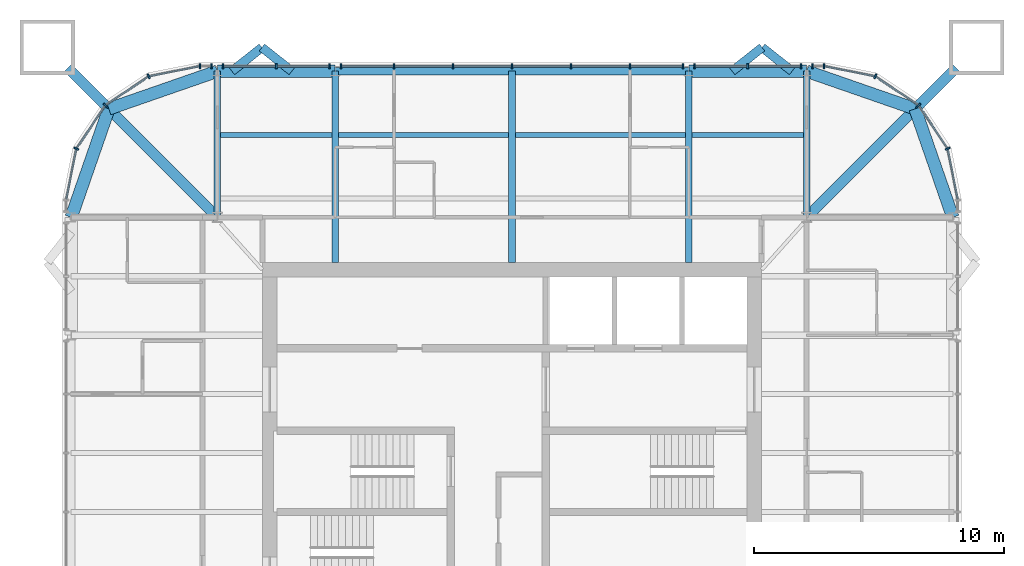
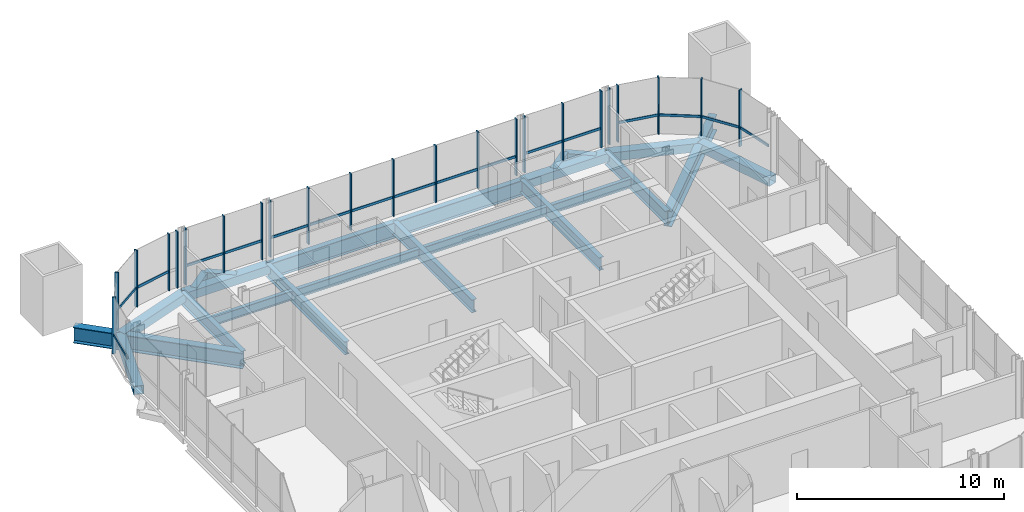
# One storey, part 6 of 17: 41 members, 22 beams, 7 elements without a shape of their own.
"""IFC4 building model written with IfcOpenShell, lengths in metres."""

from ifc_helpers import new_model, si_unit, direction, frame, origin, origin_2d, place, context, subcontext, project, spatial, rectangle, hollow_rectangle, i_section, extrude, material, material_profile, profile_set, type_object, element, aggregate, save


model = new_model("IFC4")

# Units and contexts
model_context = context("Model", 3, precision=1e-05, world=origin(), true_north=direction((0.0, 1.0)))
body_context = subcontext(model_context, "Body", "Model", "MODEL_VIEW")
ifc_project = project(units=[si_unit("LENGTHUNIT", "METRE"), si_unit("AREAUNIT", "SQUARE_METRE"), si_unit("VOLUMEUNIT", "CUBIC_METRE"), si_unit("PLANEANGLEUNIT", "RADIAN"), si_unit("MASSUNIT", "GRAM", prefix="KILO")], contexts=[model_context])

# Site, building, storey
site_placement = place(None, origin())
site = spatial("IfcSite", under=ifc_project, at=site_placement, CompositionType="ELEMENT")
building_placement = place(site_placement, origin())
building = spatial("IfcBuilding", under=site, at=building_placement, Name="Turquesa Mirador Hotel Tower", CompositionType="ELEMENT")
storey_placement = place(building_placement, frame((0.0, 0.0, 237.199951171875)))
storey = spatial("IfcBuildingStorey", under=building, at=storey_placement, Name="L64", CompositionType="ELEMENT", Elevation=237.199951171875)

# Beams
ifc_material_1 = material(Name="Steel ASTM A572 Grade 50", Category="steel")
ifc_material_profile_1 = material_profile(ifc_material_1, hollow_rectangle(XDim=0.5, YDim=0.5, WallThickness=0.01611328125, at=origin_2d()), Name="BOX500X500X16")
ifc_profile_set_1 = profile_set([ifc_material_profile_1], Name="Steel ASTM A572 Grade 50")
beam_type_1 = type_object("IfcBeamType", Name="BEAM BOX500X500X16", PredefinedType="BEAM", material=ifc_profile_set_1)
for number, where, z_axis, x_axis, name in (
    (1, (43.199951171875, 62.64990234375, -0.419921875), (1.0, 0.0, 0.0), (0.0, 1.0, 0.0), "EB-L64-N-L"),
    (2, (62.080078125, 62.64990234375, -0.419921875), (1.0, 0.0, 0.0), (0.0, 1.0, 0.0), "EB-L64-N-R"),
):
    element("IfcBeam", number, at=place(storey_placement, frame(where, z_axis=z_axis, x_axis=x_axis)), inside=storey, type_object=beam_type_1, Name=name, PredefinedType="BEAM", context=body_context, shape_type="SweptSolid", body=[
        extrude(hollow_rectangle(XDim=0.5, YDim=0.5, WallThickness=0.01611328125, at=origin_2d()), origin(), (0.0, 0.0, 1.0), 4.719970703125),
    ])
for number, where, z_axis, x_axis, name in (
    (3, (72.64990234375, 56.800048828125, -0.419921875), (-0.328170356092, 0.944618556552, 0.0), (-0.944618556552, -0.328170356092, 0.0), "KE-L64-1-0"),
    (4, (71.1416015625, 61.1416015625, -0.419921875), (-0.944618556552, 0.328170356092, 0.0), (-0.328170356092, -0.944618556552, 0.0), "KE-L64-1-1"),
    (5, (37.35009765625, 56.800048828125, -0.419921875), (0.328170356092, 0.944618556552, 0.0), (-0.944618556552, 0.328170356092, 0.0), "KE-L64-2-0"),
    (6, (38.8583984375, 61.1416015625, -0.419921875), (0.944618556552, 0.328170356092, 0.0), (-0.328170356092, 0.944618556552, 0.0), "KE-L64-2-1"),
):
    element("IfcBeam", number, at=place(storey_placement, frame(where, z_axis=z_axis, x_axis=x_axis)), inside=storey, type_object=beam_type_1, Name=name, PredefinedType="BEAM", context=body_context, shape_type="SweptSolid", body=[
        extrude(hollow_rectangle(XDim=0.5, YDim=0.5, WallThickness=0.01611328125, at=origin_2d()), origin(), (0.0, 0.0, 1.0), 4.59619140625),
    ])
ifc_material_2 = material(Name="Steel ASTM A992 Grade 50", Category="steel")
ifc_material_profile_2 = material_profile(ifc_material_2, i_section(OverallWidth=0.209228515625, OverallDepth=0.533447265625, WebThickness=0.01025390625, FlangeThickness=0.015625, at=origin_2d()), Name="W21X62")
ifc_profile_set_2 = profile_set([ifc_material_profile_2], Name="Steel ASTM A992 Grade 50")
beam_type_2 = type_object("IfcBeamType", Name="BEAM W21X62", PredefinedType="BEAM", material=ifc_profile_set_2)
beam_1_placement = place(storey_placement, frame((43.333251953125, 60.10009765625, -0.436767578125), z_axis=(1.0, 0.0, 0.0), x_axis=(0.0, 1.0, 0.0)))
element("IfcBeam", 7, at=beam_1_placement, inside=storey, type_object=beam_type_2, Name="IB-L64-N-2-0", PredefinedType="BEAM", context=body_context, shape_type="SweptSolid", body=[
    extrude(i_section(OverallWidth=0.209228515625, OverallDepth=0.533447265625, WebThickness=0.01025390625, FlangeThickness=0.015625, at=origin_2d()), origin(), (0.0, 0.0, 1.0), 4.453369140625),
])
for number, where, z_axis, x_axis, name in (
    (8, (48.053466796875, 60.10009765625, -0.436767578125), (1.0, 0.0, 0.0), (0.0, 1.0, 0.0), "IB-L64-N-2-1"),
    (9, (55.13330078125, 60.10009765625, -0.436767578125), (1.0, 0.0, 0.0), (0.0, 1.0, 0.0), "IB-L64-N-2-2"),
):
    element("IfcBeam", number, at=place(storey_placement, frame(where, z_axis=z_axis, x_axis=x_axis)), inside=storey, type_object=beam_type_2, Name=name, PredefinedType="BEAM", context=body_context, shape_type="SweptSolid", body=[
        extrude(i_section(OverallWidth=0.209228515625, OverallDepth=0.533447265625, WebThickness=0.01025390625, FlangeThickness=0.015625, at=origin_2d()), origin(), (0.0, 0.0, 1.0), 6.813232421875),
    ])
beam_2_placement = place(storey_placement, frame((62.21337890625, 60.10009765625, -0.436767578125), z_axis=(1.0, 0.0, 0.0), x_axis=(0.0, 1.0, 0.0)))
element("IfcBeam", 10, at=beam_2_placement, inside=storey, type_object=beam_type_2, Name="IB-L64-N-2-3", PredefinedType="BEAM", context=body_context, shape_type="SweptSolid", body=[
    extrude(i_section(OverallWidth=0.209228515625, OverallDepth=0.533447265625, WebThickness=0.01025390625, FlangeThickness=0.015625, at=origin_2d()), origin(), (0.0, 0.0, 1.0), 4.453369140625),
])
ifc_material_3 = material(Name="Steel ASTM A992 Grade 50", Category="steel")
ifc_material_profile_3 = material_profile(ifc_material_3, i_section(OverallWidth=0.2666015625, OverallDepth=0.7568359375, WebThickness=0.013916015625, FlangeThickness=0.019287109375, at=origin_2d()), Name="W30X108")
ifc_profile_set_3 = profile_set([ifc_material_profile_3], Name="Steel ASTM A992 Grade 50")
beam_type_3 = type_object("IfcBeamType", Name="BEAM W30X108", PredefinedType="BEAM", material=ifc_profile_set_3)
for number, where, z_axis, x_axis, name in (
    (11, (47.919921875, 62.64990234375, -0.54833984375), (0.0, -1.0, 0.0), (1.0, 0.0, 0.0), "GD-L64-N--7.08"),
    (12, (62.080078125, 62.64990234375, -0.54833984375), (0.0, -1.0, 0.0), (1.0, 0.0, 0.0), "GD-L64-N-+7.08"),
    (13, (55.0, 62.64990234375, -0.54833984375), (0.0, -1.0, 0.0), (1.0, 0.0, 0.0), "GD-L64-N-+0.00"),
):
    element("IfcBeam", number, at=place(storey_placement, frame(where, z_axis=z_axis, x_axis=x_axis)), inside=storey, type_object=beam_type_3, Name=name, PredefinedType="BEAM", context=body_context, shape_type="SweptSolid", body=[
        extrude(i_section(OverallWidth=0.2666015625, OverallDepth=0.7568359375, WebThickness=0.013916015625, FlangeThickness=0.019287109375, at=origin_2d()), origin(), (0.0, 0.0, 1.0), 7.64990234375),
    ])
for number, where, z_axis, x_axis, name in (
    (14, (43.199951171875, 62.64990234375, -0.54833984375), (0.0, -1.0, 0.0), (1.0, 0.0, 0.0), "GK-L64-N--11.80"),
    (15, (66.800048828125, 62.64990234375, -0.54833984375), (0.0, -1.0, 0.0), (1.0, 0.0, 0.0), "GK-L64-N-+11.80"),
):
    element("IfcBeam", number, at=place(storey_placement, frame(where, z_axis=z_axis, x_axis=x_axis)), inside=storey, type_object=beam_type_3, Name=name, PredefinedType="BEAM", context=body_context, shape_type="SweptSolid", body=[
        extrude(i_section(OverallWidth=0.2666015625, OverallDepth=0.7568359375, WebThickness=0.013916015625, FlangeThickness=0.019287109375, at=origin_2d()), origin(), (0.0, 0.0, 1.0), 5.849853515625),
    ])
ifc_material_4 = material(Name="Steel ASTM A992 Grade 50", Category="steel")
ifc_material_profile_4 = material_profile(ifc_material_4, i_section(OverallWidth=0.3046875, OverallDepth=0.911865234375, WebThickness=0.015869140625, FlangeThickness=0.02392578125, at=origin_2d()), Name="W36X150")
ifc_profile_set_4 = profile_set([ifc_material_profile_4], Name="Steel ASTM A992 Grade 50")
beam_type_4 = type_object("IfcBeamType", Name="BEAM W36X150", PredefinedType="BEAM", material=ifc_profile_set_4)
beam_3_placement = place(storey_placement, frame((47.919921875, 62.64990234375, -0.6259765625), z_axis=(1.0, 0.0, 0.0), x_axis=(0.0, 1.0, 0.0)))
element("IfcBeam", 16, at=beam_3_placement, inside=storey, type_object=beam_type_4, Name="EB-L64-N-C", PredefinedType="BEAM", context=body_context, shape_type="SweptSolid", body=[
    extrude(i_section(OverallWidth=0.3046875, OverallDepth=0.911865234375, WebThickness=0.015869140625, FlangeThickness=0.02392578125, at=origin_2d()), origin(), (0.0, 0.0, 1.0), 14.16015625),
])
ifc_material_5 = material(Name="Steel ASTM A992 Grade 50", Category="steel")
ifc_material_profile_5 = material_profile(ifc_material_5, i_section(OverallWidth=0.419189453125, OverallDepth=0.927001953125, WebThickness=0.019287109375, FlangeThickness=0.031982421875, at=origin_2d()), Name="W36X231")
ifc_profile_set_5 = profile_set([ifc_material_profile_5], Name="Steel ASTM A992 Grade 50")
beam_type_5 = type_object("IfcBeamType", Name="BEAM W36X231", PredefinedType="BEAM", material=ifc_profile_set_5)
for number, where, z_axis, x_axis, name in (
    (17, (66.800048828125, 56.800048828125, -0.633544921875), (0.707106781187, 0.707106781187, 0.0), (-0.707106781187, 0.707106781187, 0.0), "KD-L64-1"),
    (18, (43.199951171875, 56.800048828125, -0.633544921875), (-0.707106781187, 0.707106781187, 0.0), (-0.707106781187, -0.707106781187, 0.0), "KD-L64-2"),
):
    element("IfcBeam", number, at=place(storey_placement, frame(where, z_axis=z_axis, x_axis=x_axis)), inside=storey, type_object=beam_type_5, Name=name, PredefinedType="BEAM", context=body_context, shape_type="SweptSolid", body=[
        extrude(i_section(OverallWidth=0.419189453125, OverallDepth=0.927001953125, WebThickness=0.019287109375, FlangeThickness=0.031982421875, at=origin_2d()), origin(), (0.0, 0.0, 1.0), 8.46240234375),
    ])
ifc_material_6 = material(Name="Steel ASTM A500 Grade C", Category="steel")
ifc_material_profile_6 = material_profile(ifc_material_6, hollow_rectangle(XDim=0.355712890625, YDim=0.355712890625, WallThickness=0.0146484375, at=origin_2d()), Name="HSS14X14X5/8")
ifc_profile_set_6 = profile_set([ifc_material_profile_6], Name="Steel ASTM A500 Grade C")
beam_type_6 = type_object("IfcBeamType", Name="BRACE STRUT HSS14X14X5/8", PredefinedType="BEAM", material=ifc_profile_set_6)
for number, where, z_axis, x_axis, name in (
    (19, (44.984619140625, 63.60009765625, -0.34765625), (-0.783971428146, -0.620796907089, 0.0), (0.620796907089, -0.783971428146, 0.0), "Brace strut"),
    (20, (44.984619140625, 63.60009765625, -0.34765625), (0.783971428146, -0.620796907089, 0.0), (0.620796907089, 0.783971428146, 0.0), "Brace strut"),
    (21, (65.015380859375, 63.60009765625, -0.34765625), (-0.783971428146, -0.620796907089, 0.0), (0.620796907089, -0.783971428146, 0.0), "Brace strut"),
    (22, (65.015380859375, 63.60009765625, -0.34765625), (0.783971428146, -0.620796907089, 0.0), (0.620796907089, 0.783971428146, 0.0), "Brace strut"),
):
    element("IfcBeam", number, at=place(storey_placement, frame(where, z_axis=z_axis, x_axis=x_axis)), inside=storey, type_object=beam_type_6, Name=name, PredefinedType="BEAM", context=body_context, shape_type="SweptSolid", body=[
        extrude(hollow_rectangle(XDim=0.355712890625, YDim=0.355712890625, WallThickness=0.0146484375, at=origin_2d()), origin(), (0.0, 0.0, 1.0), 1.530517578125),
    ])

# Curtain wall, members
ifc_material_7 = material(Name="Aluminium extrusion", Category="aluminium")
curtain_wall_type = type_object("IfcCurtainWallType", Name="CW-4 SUITE FRITTED CURTAIN WALL", PredefinedType="USERDEFINED", material=ifc_material_7)
curtain_wall_1_placement = place(storey_placement, origin())
curtain_wall_1 = element("IfcCurtainWall", 23, at=curtain_wall_1_placement, inside=storey, type_object=curtain_wall_type, Name="CW-4 SUITE FRITTED CURTAIN WALL L64", ObjectType="CURTAIN WALL", PredefinedType="USERDEFINED")
ifc_material_8 = material(Name="Aluminium extrusion", Category="aluminium")
ifc_material_profile_7 = material_profile(ifc_material_8, rectangle(XDim=0.06494140625, YDim=0.199951171875, at=origin_2d()), Name="MULLION 65X200")
ifc_profile_set_7 = profile_set([ifc_material_profile_7], Name="Aluminium extrusion")
member_type_1 = type_object("IfcMemberType", Name="CW MULLION 65X200", PredefinedType="MULLION", material=ifc_profile_set_7)
member_1_placement = place(storey_placement, frame((72.44287109375, 59.54736328125, 0.0), z_axis=(0.0, 0.0, 1.0), x_axis=(-0.382683432365, 0.923879532511, 0.0)))
member_1 = element("IfcMember", 24, at=member_1_placement, type_object=member_type_1, Name="Mullion", PredefinedType="MULLION", context=body_context, shape_type="SweptSolid", body=[
    extrude(rectangle(XDim=0.06494140625, YDim=0.199951171875, at=origin_2d()), origin(), (0.0, 0.0, 1.0), 3.330078125),
])
member_2_placement = place(storey_placement, frame((71.282958984375, 61.282958984375, 0.0), z_axis=(0.0, 0.0, 1.0), x_axis=(-0.707106781187, 0.707106781187, 0.0)))
member_2 = element("IfcMember", 25, at=member_2_placement, type_object=member_type_1, Name="Mullion", PredefinedType="MULLION", context=body_context, shape_type="SweptSolid", body=[
    extrude(rectangle(XDim=0.06494140625, YDim=0.199951171875, at=origin_2d()), origin(), (0.0, 0.0, 1.0), 3.330078125),
])
member_3_placement = place(storey_placement, frame((69.54736328125, 62.44287109375, 0.0), z_axis=(0.0, 0.0, 1.0), x_axis=(-0.923879532511, 0.382683432365, 0.0)))
member_3 = element("IfcMember", 26, at=member_3_placement, type_object=member_type_1, Name="Mullion", PredefinedType="MULLION", context=body_context, shape_type="SweptSolid", body=[
    extrude(rectangle(XDim=0.06494140625, YDim=0.199951171875, at=origin_2d()), origin(), (0.0, 0.0, 1.0), 3.330078125),
])

curtain_wall_2_placement = place(storey_placement, origin())
curtain_wall_2 = element("IfcCurtainWall", 27, at=curtain_wall_2_placement, inside=storey, type_object=curtain_wall_type, Name="CW-4 SUITE FRITTED CURTAIN WALL L64", ObjectType="CURTAIN WALL", PredefinedType="USERDEFINED")
member_4_placement = place(storey_placement, frame((67.5, 62.85009765625, 0.0), z_axis=(0.0, 0.0, 1.0), x_axis=(-1.0, 0.0, 0.0)))
member_4 = element("IfcMember", 28, at=member_4_placement, type_object=member_type_1, Name="Mullion", PredefinedType="MULLION", context=body_context, shape_type="SweptSolid", body=[
    extrude(rectangle(XDim=0.06494140625, YDim=0.199951171875, at=origin_2d()), origin(), (0.0, 0.0, 1.0), 3.330078125),
])
member_5_placement = place(storey_placement, frame((67.033935546875, 62.85009765625, 0.0), z_axis=(0.0, 0.0, 1.0), x_axis=(-1.0, 0.0, 0.0)))
member_5 = element("IfcMember", 29, at=member_5_placement, type_object=member_type_1, Name="Mullion", PredefinedType="MULLION", context=body_context, shape_type="SweptSolid", body=[
    extrude(rectangle(XDim=0.06494140625, YDim=0.199951171875, at=origin_2d()), origin(), (0.0, 0.0, 1.0), 3.330078125),
])
aggregate(curtain_wall_2, [member_4, member_5])

curtain_wall_3_placement = place(storey_placement, origin())
curtain_wall_3 = element("IfcCurtainWall", 30, at=curtain_wall_3_placement, inside=storey, type_object=curtain_wall_type, Name="CW-4 SUITE FRITTED CURTAIN WALL L64", ObjectType="CURTAIN WALL", PredefinedType="USERDEFINED")
member_6_placement = place(storey_placement, frame((66.566162109375, 62.85009765625, 0.0), z_axis=(0.0, 0.0, 1.0), x_axis=(-1.0, 0.0, 0.0)))
member_6 = element("IfcMember", 31, at=member_6_placement, type_object=member_type_1, Name="Mullion", PredefinedType="MULLION", context=body_context, shape_type="SweptSolid", body=[
    extrude(rectangle(XDim=0.06494140625, YDim=0.199951171875, at=origin_2d()), origin(), (0.0, 0.0, 1.0), 3.330078125),
])
member_7_placement = place(storey_placement, frame((64.43994140625, 62.85009765625, 0.0), z_axis=(0.0, 0.0, 1.0), x_axis=(-1.0, 0.0, 0.0)))
member_7 = element("IfcMember", 32, at=member_7_placement, type_object=member_type_1, Name="Mullion", PredefinedType="MULLION", context=body_context, shape_type="SweptSolid", body=[
    extrude(rectangle(XDim=0.06494140625, YDim=0.199951171875, at=origin_2d()), origin(), (0.0, 0.0, 1.0), 3.330078125),
])
member_8_placement = place(storey_placement, frame((62.31396484375, 62.85009765625, 0.0), z_axis=(0.0, 0.0, 1.0), x_axis=(-1.0, 0.0, 0.0)))
member_8 = element("IfcMember", 33, at=member_8_placement, type_object=member_type_1, Name="Mullion", PredefinedType="MULLION", context=body_context, shape_type="SweptSolid", body=[
    extrude(rectangle(XDim=0.06494140625, YDim=0.199951171875, at=origin_2d()), origin(), (0.0, 0.0, 1.0), 3.330078125),
])

curtain_wall_4_placement = place(storey_placement, origin())
curtain_wall_4 = element("IfcCurtainWall", 34, at=curtain_wall_4_placement, inside=storey, type_object=curtain_wall_type, Name="CW-4 SUITE FRITTED CURTAIN WALL L64", ObjectType="CURTAIN WALL", PredefinedType="USERDEFINED")
member_9_placement = place(storey_placement, frame((61.84619140625, 62.85009765625, 0.0), z_axis=(0.0, 0.0, 1.0), x_axis=(-1.0, 0.0, 0.0)))
member_9 = element("IfcMember", 35, at=member_9_placement, type_object=member_type_1, Name="Mullion", PredefinedType="MULLION", context=body_context, shape_type="SweptSolid", body=[
    extrude(rectangle(XDim=0.06494140625, YDim=0.199951171875, at=origin_2d()), origin(), (0.0, 0.0, 1.0), 3.330078125),
])
member_10_placement = place(storey_placement, frame((59.719970703125, 62.85009765625, 0.0), z_axis=(0.0, 0.0, 1.0), x_axis=(-1.0, 0.0, 0.0)))
member_10 = element("IfcMember", 36, at=member_10_placement, type_object=member_type_1, Name="Mullion", PredefinedType="MULLION", context=body_context, shape_type="SweptSolid", body=[
    extrude(rectangle(XDim=0.06494140625, YDim=0.199951171875, at=origin_2d()), origin(), (0.0, 0.0, 1.0), 3.330078125),
])
member_11_placement = place(storey_placement, frame((57.360107421875, 62.85009765625, 0.0), z_axis=(0.0, 0.0, 1.0), x_axis=(-1.0, 0.0, 0.0)))
member_11 = element("IfcMember", 37, at=member_11_placement, type_object=member_type_1, Name="Mullion", PredefinedType="MULLION", context=body_context, shape_type="SweptSolid", body=[
    extrude(rectangle(XDim=0.06494140625, YDim=0.199951171875, at=origin_2d()), origin(), (0.0, 0.0, 1.0), 3.330078125),
])
member_12_placement = place(storey_placement, frame((55.0, 62.85009765625, 0.0), z_axis=(0.0, 0.0, 1.0), x_axis=(-1.0, 0.0, 0.0)))
member_12 = element("IfcMember", 38, at=member_12_placement, type_object=member_type_1, Name="Mullion", PredefinedType="MULLION", context=body_context, shape_type="SweptSolid", body=[
    extrude(rectangle(XDim=0.06494140625, YDim=0.199951171875, at=origin_2d()), origin(), (0.0, 0.0, 1.0), 3.330078125),
])
member_13_placement = place(storey_placement, frame((52.639892578125, 62.85009765625, 0.0), z_axis=(0.0, 0.0, 1.0), x_axis=(-1.0, 0.0, 0.0)))
member_13 = element("IfcMember", 39, at=member_13_placement, type_object=member_type_1, Name="Mullion", PredefinedType="MULLION", context=body_context, shape_type="SweptSolid", body=[
    extrude(rectangle(XDim=0.06494140625, YDim=0.199951171875, at=origin_2d()), origin(), (0.0, 0.0, 1.0), 3.330078125),
])
member_14_placement = place(storey_placement, frame((50.280029296875, 62.85009765625, 0.0), z_axis=(0.0, 0.0, 1.0), x_axis=(-1.0, 0.0, 0.0)))
member_14 = element("IfcMember", 40, at=member_14_placement, type_object=member_type_1, Name="Mullion", PredefinedType="MULLION", context=body_context, shape_type="SweptSolid", body=[
    extrude(rectangle(XDim=0.06494140625, YDim=0.199951171875, at=origin_2d()), origin(), (0.0, 0.0, 1.0), 3.330078125),
])
member_15_placement = place(storey_placement, frame((48.15380859375, 62.85009765625, 0.0), z_axis=(0.0, 0.0, 1.0), x_axis=(-1.0, 0.0, 0.0)))
member_15 = element("IfcMember", 41, at=member_15_placement, type_object=member_type_1, Name="Mullion", PredefinedType="MULLION", context=body_context, shape_type="SweptSolid", body=[
    extrude(rectangle(XDim=0.06494140625, YDim=0.199951171875, at=origin_2d()), origin(), (0.0, 0.0, 1.0), 3.330078125),
])

curtain_wall_5_placement = place(storey_placement, origin())
curtain_wall_5 = element("IfcCurtainWall", 42, at=curtain_wall_5_placement, inside=storey, type_object=curtain_wall_type, Name="CW-4 SUITE FRITTED CURTAIN WALL L64", ObjectType="CURTAIN WALL", PredefinedType="USERDEFINED")
member_16_placement = place(storey_placement, frame((47.68603515625, 62.85009765625, 0.0), z_axis=(0.0, 0.0, 1.0), x_axis=(-1.0, 0.0, 0.0)))
member_16 = element("IfcMember", 43, at=member_16_placement, type_object=member_type_1, Name="Mullion", PredefinedType="MULLION", context=body_context, shape_type="SweptSolid", body=[
    extrude(rectangle(XDim=0.06494140625, YDim=0.199951171875, at=origin_2d()), origin(), (0.0, 0.0, 1.0), 3.330078125),
])
member_17_placement = place(storey_placement, frame((45.56005859375, 62.85009765625, 0.0), z_axis=(0.0, 0.0, 1.0), x_axis=(-1.0, 0.0, 0.0)))
member_17 = element("IfcMember", 44, at=member_17_placement, type_object=member_type_1, Name="Mullion", PredefinedType="MULLION", context=body_context, shape_type="SweptSolid", body=[
    extrude(rectangle(XDim=0.06494140625, YDim=0.199951171875, at=origin_2d()), origin(), (0.0, 0.0, 1.0), 3.330078125),
])
member_18_placement = place(storey_placement, frame((43.433837890625, 62.85009765625, 0.0), z_axis=(0.0, 0.0, 1.0), x_axis=(-1.0, 0.0, 0.0)))
member_18 = element("IfcMember", 45, at=member_18_placement, type_object=member_type_1, Name="Mullion", PredefinedType="MULLION", context=body_context, shape_type="SweptSolid", body=[
    extrude(rectangle(XDim=0.06494140625, YDim=0.199951171875, at=origin_2d()), origin(), (0.0, 0.0, 1.0), 3.330078125),
])

curtain_wall_6_placement = place(storey_placement, origin())
curtain_wall_6 = element("IfcCurtainWall", 46, at=curtain_wall_6_placement, inside=storey, type_object=curtain_wall_type, Name="CW-4 SUITE FRITTED CURTAIN WALL L64", ObjectType="CURTAIN WALL", PredefinedType="USERDEFINED")
member_19_placement = place(storey_placement, frame((42.966064453125, 62.85009765625, 0.0), z_axis=(0.0, 0.0, 1.0), x_axis=(-1.0, 0.0, 0.0)))
member_19 = element("IfcMember", 47, at=member_19_placement, type_object=member_type_1, Name="Mullion", PredefinedType="MULLION", context=body_context, shape_type="SweptSolid", body=[
    extrude(rectangle(XDim=0.06494140625, YDim=0.199951171875, at=origin_2d()), origin(), (0.0, 0.0, 1.0), 3.330078125),
])
member_20_placement = place(storey_placement, frame((42.5, 62.85009765625, 0.0), z_axis=(0.0, 0.0, 1.0), x_axis=(-1.0, 0.0, 0.0)))
member_20 = element("IfcMember", 48, at=member_20_placement, type_object=member_type_1, Name="Mullion", PredefinedType="MULLION", context=body_context, shape_type="SweptSolid", body=[
    extrude(rectangle(XDim=0.06494140625, YDim=0.199951171875, at=origin_2d()), origin(), (0.0, 0.0, 1.0), 3.330078125),
])
aggregate(curtain_wall_6, [member_19, member_20])

curtain_wall_7_placement = place(storey_placement, origin())
curtain_wall_7 = element("IfcCurtainWall", 49, at=curtain_wall_7_placement, inside=storey, type_object=curtain_wall_type, Name="CW-4 SUITE FRITTED CURTAIN WALL L64", ObjectType="CURTAIN WALL", PredefinedType="USERDEFINED")
member_21_placement = place(storey_placement, frame((40.45263671875, 62.44287109375, 0.0), z_axis=(0.0, 0.0, 1.0), x_axis=(-0.923879532511, -0.382683432365, 0.0)))
member_21 = element("IfcMember", 50, at=member_21_placement, type_object=member_type_1, Name="Mullion", PredefinedType="MULLION", context=body_context, shape_type="SweptSolid", body=[
    extrude(rectangle(XDim=0.06494140625, YDim=0.199951171875, at=origin_2d()), origin(), (0.0, 0.0, 1.0), 3.330078125),
])
member_22_placement = place(storey_placement, frame((38.717041015625, 61.282958984375, 0.0), z_axis=(0.0, 0.0, 1.0), x_axis=(-0.707106781187, -0.707106781187, 0.0)))
member_22 = element("IfcMember", 51, at=member_22_placement, type_object=member_type_1, Name="Mullion", PredefinedType="MULLION", context=body_context, shape_type="SweptSolid", body=[
    extrude(rectangle(XDim=0.06494140625, YDim=0.199951171875, at=origin_2d()), origin(), (0.0, 0.0, 1.0), 3.330078125),
])
member_23_placement = place(storey_placement, frame((37.55712890625, 59.54736328125, 0.0), z_axis=(0.0, 0.0, 1.0), x_axis=(-0.382683432365, -0.923879532511, 0.0)))
member_23 = element("IfcMember", 52, at=member_23_placement, type_object=member_type_1, Name="Mullion", PredefinedType="MULLION", context=body_context, shape_type="SweptSolid", body=[
    extrude(rectangle(XDim=0.06494140625, YDim=0.199951171875, at=origin_2d()), origin(), (0.0, 0.0, 1.0), 3.330078125),
])

# Member
ifc_material_9 = material(Name="Aluminium extrusion", Category="aluminium")
ifc_material_profile_8 = material_profile(ifc_material_9, rectangle(XDim=0.06494140625, YDim=0.14990234375, at=origin_2d()), Name="TRANSOM 65X150")
ifc_profile_set_8 = profile_set([ifc_material_profile_8], Name="Aluminium extrusion")
member_type_2 = type_object("IfcMemberType", Name="CW TRANSOM 65X150", PredefinedType="USERDEFINED", material=ifc_profile_set_8)
member_24_placement = place(storey_placement, frame((72.84375, 57.531982421875, 1.10009765625), z_axis=(-0.195210621934, 0.980761343592, 0.0), x_axis=(-0.980761343592, -0.195210621934, 0.0)))
member_24 = element("IfcMember", 53, at=member_24_placement, type_object=member_type_2, Name="Transom", ObjectType="TRANSOM", PredefinedType="USERDEFINED", context=body_context, shape_type="SweptSolid", body=[
    extrude(rectangle(XDim=0.06494140625, YDim=0.14990234375, at=origin_2d()), origin(), (0.0, 0.0, 1.0), 2.022216796875),
])

member_25_placement = place(storey_placement, frame((72.4248046875, 59.574462890625, 1.10009765625), z_axis=(-0.555619095835, 0.831436961136, 0.0), x_axis=(-0.831436961136, -0.555619095835, 0.0)))
member_25 = element("IfcMember", 54, at=member_25_placement, type_object=member_type_2, Name="Transom", ObjectType="TRANSOM", PredefinedType="USERDEFINED", context=body_context, shape_type="SweptSolid", body=[
    extrude(rectangle(XDim=0.06494140625, YDim=0.14990234375, at=origin_2d()), origin(), (0.0, 0.0, 1.0), 2.0224609375),
])

member_26_placement = place(storey_placement, frame((71.256103515625, 61.301025390625, 1.10009765625), z_axis=(-0.831436961136, 0.555619095835, 0.0), x_axis=(-0.555619095835, -0.831436961136, 0.0)))
member_26 = element("IfcMember", 55, at=member_26_placement, type_object=member_type_2, Name="Transom", ObjectType="TRANSOM", PredefinedType="USERDEFINED", context=body_context, shape_type="SweptSolid", body=[
    extrude(rectangle(XDim=0.06494140625, YDim=0.14990234375, at=origin_2d()), origin(), (0.0, 0.0, 1.0), 2.0224609375),
])

member_27_placement = place(storey_placement, frame((69.515380859375, 62.448974609375, 1.10009765625), z_axis=(-0.980761343592, 0.195210621934, 0.0), x_axis=(-0.195210621934, -0.980761343592, 0.0)))
member_27 = element("IfcMember", 56, at=member_27_placement, type_object=member_type_2, Name="Transom", ObjectType="TRANSOM", PredefinedType="USERDEFINED", context=body_context, shape_type="SweptSolid", body=[
    extrude(rectangle(XDim=0.06494140625, YDim=0.14990234375, at=origin_2d()), origin(), (0.0, 0.0, 1.0), 2.022216796875),
])

aggregate(curtain_wall_1, [member_1, member_2, member_3, member_24, member_25, member_26, member_27])

member_28_placement = place(storey_placement, frame((66.53369140625, 62.85009765625, 1.10009765625), z_axis=(-1.0, 0.0, 0.0), x_axis=(0.0, -1.0, 0.0)))
member_28 = element("IfcMember", 57, at=member_28_placement, type_object=member_type_2, Name="Transom", ObjectType="TRANSOM", PredefinedType="USERDEFINED", context=body_context, shape_type="SweptSolid", body=[
    extrude(rectangle(XDim=0.06494140625, YDim=0.14990234375, at=origin_2d()), origin(), (0.0, 0.0, 1.0), 2.061279296875),
])

member_29_placement = place(storey_placement, frame((64.407470703125, 62.85009765625, 1.10009765625), z_axis=(-1.0, 0.0, 0.0), x_axis=(0.0, -1.0, 0.0)))
member_29 = element("IfcMember", 58, at=member_29_placement, type_object=member_type_2, Name="Transom", ObjectType="TRANSOM", PredefinedType="USERDEFINED", context=body_context, shape_type="SweptSolid", body=[
    extrude(rectangle(XDim=0.06494140625, YDim=0.14990234375, at=origin_2d()), origin(), (0.0, 0.0, 1.0), 2.06103515625),
])

aggregate(curtain_wall_3, [member_6, member_7, member_8, member_28, member_29])

member_30_placement = place(storey_placement, frame((61.813720703125, 62.85009765625, 1.10009765625), z_axis=(-1.0, 0.0, 0.0), x_axis=(0.0, -1.0, 0.0)))
member_30 = element("IfcMember", 59, at=member_30_placement, type_object=member_type_2, Name="Transom", ObjectType="TRANSOM", PredefinedType="USERDEFINED", context=body_context, shape_type="SweptSolid", body=[
    extrude(rectangle(XDim=0.06494140625, YDim=0.14990234375, at=origin_2d()), origin(), (0.0, 0.0, 1.0), 2.061279296875),
])

member_31_placement = place(storey_placement, frame((59.6875, 62.85009765625, 1.10009765625), z_axis=(-1.0, 0.0, 0.0), x_axis=(0.0, -1.0, 0.0)))
member_31 = element("IfcMember", 60, at=member_31_placement, type_object=member_type_2, Name="Transom", ObjectType="TRANSOM", PredefinedType="USERDEFINED", context=body_context, shape_type="SweptSolid", body=[
    extrude(rectangle(XDim=0.06494140625, YDim=0.14990234375, at=origin_2d()), origin(), (0.0, 0.0, 1.0), 2.294921875),
])

member_32_placement = place(storey_placement, frame((57.327392578125, 62.85009765625, 1.10009765625), z_axis=(-1.0, 0.0, 0.0), x_axis=(0.0, -1.0, 0.0)))
member_32 = element("IfcMember", 61, at=member_32_placement, type_object=member_type_2, Name="Transom", ObjectType="TRANSOM", PredefinedType="USERDEFINED", context=body_context, shape_type="SweptSolid", body=[
    extrude(rectangle(XDim=0.06494140625, YDim=0.14990234375, at=origin_2d()), origin(), (0.0, 0.0, 1.0), 2.294921875),
])

member_33_placement = place(storey_placement, frame((54.967529296875, 62.85009765625, 1.10009765625), z_axis=(-1.0, 0.0, 0.0), x_axis=(0.0, -1.0, 0.0)))
member_33 = element("IfcMember", 62, at=member_33_placement, type_object=member_type_2, Name="Transom", ObjectType="TRANSOM", PredefinedType="USERDEFINED", context=body_context, shape_type="SweptSolid", body=[
    extrude(rectangle(XDim=0.06494140625, YDim=0.14990234375, at=origin_2d()), origin(), (0.0, 0.0, 1.0), 2.294921875),
])

member_34_placement = place(storey_placement, frame((52.607421875, 62.85009765625, 1.10009765625), z_axis=(-1.0, 0.0, 0.0), x_axis=(0.0, -1.0, 0.0)))
member_34 = element("IfcMember", 63, at=member_34_placement, type_object=member_type_2, Name="Transom", ObjectType="TRANSOM", PredefinedType="USERDEFINED", context=body_context, shape_type="SweptSolid", body=[
    extrude(rectangle(XDim=0.06494140625, YDim=0.14990234375, at=origin_2d()), origin(), (0.0, 0.0, 1.0), 2.294921875),
])

member_35_placement = place(storey_placement, frame((50.24755859375, 62.85009765625, 1.10009765625), z_axis=(-1.0, 0.0, 0.0), x_axis=(0.0, -1.0, 0.0)))
member_35 = element("IfcMember", 64, at=member_35_placement, type_object=member_type_2, Name="Transom", ObjectType="TRANSOM", PredefinedType="USERDEFINED", context=body_context, shape_type="SweptSolid", body=[
    extrude(rectangle(XDim=0.06494140625, YDim=0.14990234375, at=origin_2d()), origin(), (0.0, 0.0, 1.0), 2.061279296875),
])

aggregate(curtain_wall_4, [member_9, member_10, member_11, member_12, member_13, member_14, member_15, member_30, member_31, member_32, member_33, member_34, member_35])

member_36_placement = place(storey_placement, frame((47.653564453125, 62.85009765625, 1.10009765625), z_axis=(-1.0, 0.0, 0.0), x_axis=(0.0, -1.0, 0.0)))
member_36 = element("IfcMember", 65, at=member_36_placement, type_object=member_type_2, Name="Transom", ObjectType="TRANSOM", PredefinedType="USERDEFINED", context=body_context, shape_type="SweptSolid", body=[
    extrude(rectangle(XDim=0.06494140625, YDim=0.14990234375, at=origin_2d()), origin(), (0.0, 0.0, 1.0), 2.06103515625),
])

member_37_placement = place(storey_placement, frame((45.527587890625, 62.85009765625, 1.10009765625), z_axis=(-1.0, 0.0, 0.0), x_axis=(0.0, -1.0, 0.0)))
member_37 = element("IfcMember", 66, at=member_37_placement, type_object=member_type_2, Name="Transom", ObjectType="TRANSOM", PredefinedType="USERDEFINED", context=body_context, shape_type="SweptSolid", body=[
    extrude(rectangle(XDim=0.06494140625, YDim=0.14990234375, at=origin_2d()), origin(), (0.0, 0.0, 1.0), 2.061279296875),
])

aggregate(curtain_wall_5, [member_16, member_17, member_18, member_36, member_37])

member_38_placement = place(storey_placement, frame((42.468017578125, 62.84375, 1.10009765625), z_axis=(-0.980761343592, -0.195210621934, 0.0), x_axis=(0.195210621934, -0.980761343592, 0.0)))
member_38 = element("IfcMember", 67, at=member_38_placement, type_object=member_type_2, Name="Transom", ObjectType="TRANSOM", PredefinedType="USERDEFINED", context=body_context, shape_type="SweptSolid", body=[
    extrude(rectangle(XDim=0.06494140625, YDim=0.14990234375, at=origin_2d()), origin(), (0.0, 0.0, 1.0), 2.022216796875),
])

member_39_placement = place(storey_placement, frame((40.425537109375, 62.4248046875, 1.10009765625), z_axis=(-0.831436961136, -0.555619095835, 0.0), x_axis=(0.555619095835, -0.831436961136, 0.0)))
member_39 = element("IfcMember", 68, at=member_39_placement, type_object=member_type_2, Name="Transom", ObjectType="TRANSOM", PredefinedType="USERDEFINED", context=body_context, shape_type="SweptSolid", body=[
    extrude(rectangle(XDim=0.06494140625, YDim=0.14990234375, at=origin_2d()), origin(), (0.0, 0.0, 1.0), 2.0224609375),
])

member_40_placement = place(storey_placement, frame((38.698974609375, 61.256103515625, 1.10009765625), z_axis=(-0.555619095835, -0.831436961136, 0.0), x_axis=(0.831436961136, -0.555619095835, 0.0)))
member_40 = element("IfcMember", 69, at=member_40_placement, type_object=member_type_2, Name="Transom", ObjectType="TRANSOM", PredefinedType="USERDEFINED", context=body_context, shape_type="SweptSolid", body=[
    extrude(rectangle(XDim=0.06494140625, YDim=0.14990234375, at=origin_2d()), origin(), (0.0, 0.0, 1.0), 2.0224609375),
])

member_41_placement = place(storey_placement, frame((37.551025390625, 59.515380859375, 1.10009765625), z_axis=(-0.195210621934, -0.980761343592, 0.0), x_axis=(0.980761343592, -0.195210621934, 0.0)))
member_41 = element("IfcMember", 70, at=member_41_placement, type_object=member_type_2, Name="Transom", ObjectType="TRANSOM", PredefinedType="USERDEFINED", context=body_context, shape_type="SweptSolid", body=[
    extrude(rectangle(XDim=0.06494140625, YDim=0.14990234375, at=origin_2d()), origin(), (0.0, 0.0, 1.0), 2.022216796875),
])

aggregate(curtain_wall_7, [member_21, member_22, member_23, member_38, member_39, member_40, member_41])

save(model, "model.ifc")
